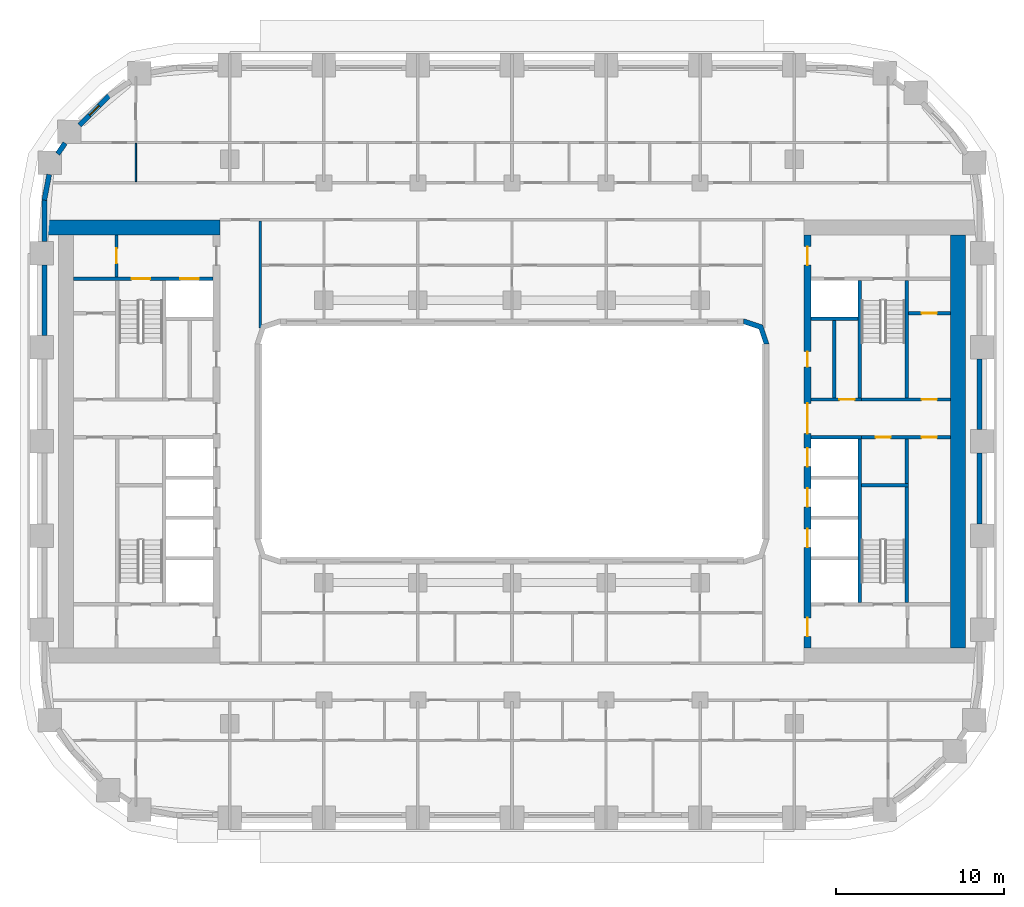
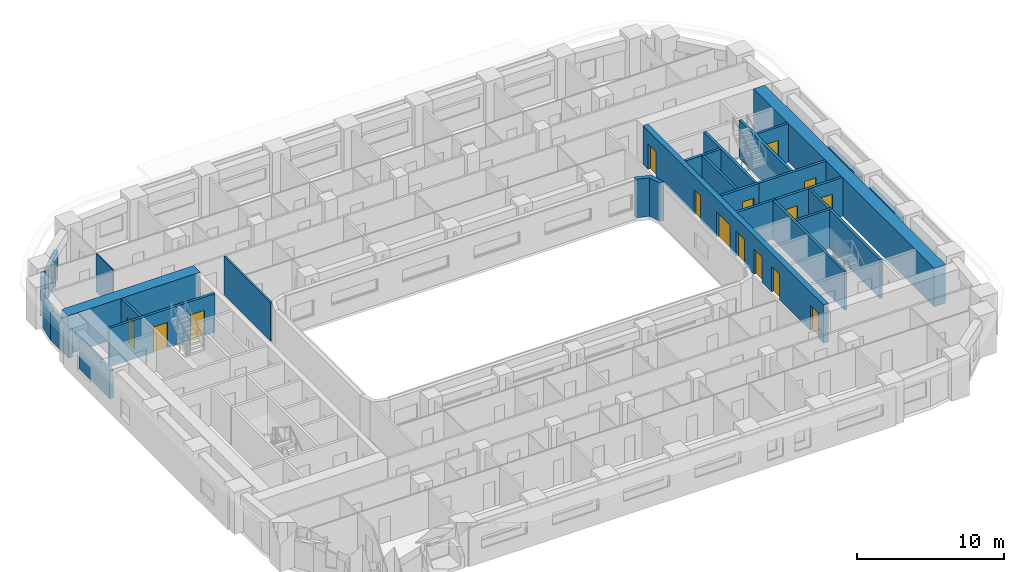
# One storey, part 7 of 22: 28 walls, 15 doors, 1 window, 16 openings.
"""IFC4 building model written with IfcOpenShell, lengths in metres."""

from ifc_helpers import new_model, si_unit, direction, frame, frame_2d, origin, place, context, subcontext, project, spatial, polyline, rectangle, outline, extrude, material, layer, layer_set, type_object, element, fill, save


model = new_model("IFC4")

# Units and contexts
model_context = context("Model", 3, precision=1e-05, world=origin(), true_north=direction((0.0, 1.0)))
body_context = subcontext(model_context, "Body", "Model", "MODEL_VIEW")
ifc_project = project(units=[si_unit("LENGTHUNIT", "METRE"), si_unit("AREAUNIT", "SQUARE_METRE"), si_unit("VOLUMEUNIT", "CUBIC_METRE"), si_unit("PLANEANGLEUNIT", "RADIAN"), si_unit("MASSUNIT", "GRAM", prefix="KILO")], contexts=[model_context])

# Site, building, storey
site_placement = place(None, origin())
site = spatial("IfcSite", under=ifc_project, at=site_placement, CompositionType="ELEMENT")
building_placement = place(site_placement, origin())
building = spatial("IfcBuilding", under=site, at=building_placement, Name="Kiln Ring Residences", CompositionType="ELEMENT")
storey_placement = place(building_placement, frame((0.0, 0.0, 65.5)))
storey = spatial("IfcBuildingStorey", under=building, at=storey_placement, Name="L16", CompositionType="ELEMENT", Elevation=65.5)

# Wall, opening, door
ifc_material_1 = material(Name="Gypsum board on steel studs", Category="steel")
ifc_layer_1 = layer(ifc_material_1, 0.199951171875)
ifc_layer_set_1 = layer_set([ifc_layer_1], Name="CORE-PARTITION-200")
wall_type_1 = type_object("IfcWallType", Name="CORE-PARTITION-200", PredefinedType="PARTITIONING", material=ifc_layer_set_1)
wall_1_placement = place(storey_placement, frame((-23.550048828125, 9.800048828125, 0.0), z_axis=(0.0, 0.0, 1.0), x_axis=(0.0, 1.0, 0.0)))
wall_1 = element("IfcWall", 1, at=wall_1_placement, inside=storey, type_object=wall_type_1, Name="Core partition west L16 4", PredefinedType="PARTITIONING", context=body_context, shape_type="SweptSolid", body=[
    extrude(rectangle(XDim=2.5, YDim=0.199951171875, at=frame_2d((1.25, 0.0))), origin(), (0.0, 0.0, 1.0), 3.199951171875),
])
opening_1_placement = place(wall_1_placement, frame((0.800048828125, 0.0, 0.0)))
opening_1 = element("IfcOpeningElement", 2, at=opening_1_placement, cuts=wall_1, Name="Opening L16-CW10", PredefinedType="OPENING", context=body_context, shape_type="SweptSolid", body=[
    extrude(rectangle(XDim=0.89990234375, YDim=2.10009765625, at=frame_2d((0.449951171875, 1.050048828125))), frame((0.0, 0.10986328125, 0.0), z_axis=(0.0, -1.0, 0.0), x_axis=(1.0, 0.0, 0.0)), (0.0, 0.0, 1.0), 0.219970703125),
])
ifc_material_2 = material(Name="Steel door leaf", Category="steel")
door_type_1 = type_object("IfcDoorType", Name="CORE-DOOR-ROOM", OperationType="SINGLE_SWING_LEFT", PredefinedType="DOOR", material=ifc_material_2)
door_1_placement = place(opening_1_placement, origin())
door_1 = element("IfcDoor", 3, at=door_1_placement, inside=storey, type_object=door_type_1, Name="Fire riser room L16-CW10", OperationType="SINGLE_SWING_RIGHT", OverallHeight=2.10009765625, OverallWidth=0.89990234375, PredefinedType="DOOR", context=body_context, shape_type="SweptSolid", body=[
    extrude(rectangle(XDim=0.89990234375, YDim=2.10009765625, at=frame_2d((0.449951171875, 1.050048828125))), frame((0.0, 0.02490234375, 0.0), z_axis=(0.0, -1.0, 0.0), x_axis=(1.0, 0.0, 0.0)), (0.0, 0.0, 1.0), 0.050048828125),
])
fill(opening_1, door_1)

# Wall
wall_2_placement = place(storey_placement, frame((23.5, -2.5, 0.0), z_axis=(0.0, 0.0, 1.0), x_axis=(0.0, 1.0, 0.0)))
element("IfcWall", 4, at=wall_2_placement, inside=storey, type_object=wall_type_1, Name="Core partition east L16 1", PredefinedType="PARTITIONING", context=body_context, shape_type="SweptSolid", body=[
    extrude(rectangle(XDim=2.64990234375, YDim=0.199951171875, at=frame_2d((1.324951171875, 0.0))), origin(), (0.0, 0.0, 1.0), 3.199951171875),
])

# Wall, openings, doors
wall_3_placement = place(storey_placement, frame((20.800048828125, 0.25, 0.0), z_axis=(0.0, 0.0, 1.0), x_axis=(1.0, 0.0, 0.0)))
wall_3 = element("IfcWall", 5, at=wall_3_placement, inside=storey, type_object=wall_type_1, Name="Core partition east L16 2", PredefinedType="PARTITIONING", context=body_context, shape_type="SweptSolid", body=[
    extrude(rectangle(XDim=5.300048828125, YDim=0.199951171875, at=frame_2d((2.64990234375, 0.0))), origin(), (0.0, 0.0, 1.0), 3.199951171875),
])
opening_2_placement = place(wall_3_placement, frame((0.85009765625, 0.0, 0.0)))
opening_2 = element("IfcOpeningElement", 6, at=opening_2_placement, cuts=wall_3, Name="Opening L16-CE15", PredefinedType="OPENING", context=body_context, shape_type="SweptSolid", body=[
    extrude(rectangle(XDim=0.89990234375, YDim=2.10009765625, at=frame_2d((0.449951171875, 1.050048828125))), frame((0.0, 0.10986328125, 0.0), z_axis=(0.0, -1.0, 0.0), x_axis=(1.0, 0.0, 0.0)), (0.0, 0.0, 1.0), 0.219970703125),
])
opening_3_placement = place(wall_3_placement, frame((3.60009765625, 0.0, 0.0)))
opening_3 = element("IfcOpeningElement", 7, at=opening_3_placement, cuts=wall_3, Name="Opening L16-CE16", PredefinedType="OPENING", context=body_context, shape_type="SweptSolid", body=[
    extrude(rectangle(XDim=0.89990234375, YDim=2.10009765625, at=frame_2d((0.449951171875, 1.050048828125))), frame((0.0, 0.10986328125, 0.0), z_axis=(0.0, -1.0, 0.0), x_axis=(1.0, 0.0, 0.0)), (0.0, 0.0, 1.0), 0.219970703125),
])
door_2_placement = place(opening_2_placement, origin())
door_2 = element("IfcDoor", 8, at=door_2_placement, inside=storey, type_object=door_type_1, Name="Refuse and recycling room L16-CE15", OperationType="SINGLE_SWING_RIGHT", OverallHeight=2.10009765625, OverallWidth=0.89990234375, PredefinedType="DOOR", context=body_context, shape_type="SweptSolid", body=[
    extrude(rectangle(XDim=0.89990234375, YDim=2.10009765625, at=frame_2d((0.449951171875, 1.050048828125))), frame((0.0, 0.02490234375, 0.0), z_axis=(0.0, -1.0, 0.0), x_axis=(1.0, 0.0, 0.0)), (0.0, 0.0, 1.0), 0.050048828125),
])
fill(opening_2, door_2)
door_3_placement = place(opening_3_placement, origin())
door_3 = element("IfcDoor", 9, at=door_3_placement, inside=storey, type_object=door_type_1, Name="Water tank room L16-CE16", OperationType="SINGLE_SWING_LEFT", OverallHeight=2.10009765625, OverallWidth=0.89990234375, PredefinedType="DOOR", context=body_context, shape_type="SweptSolid", body=[
    extrude(rectangle(XDim=0.89990234375, YDim=2.10009765625, at=frame_2d((0.449951171875, 1.050048828125))), frame((0.0, 0.02490234375, 0.0), z_axis=(0.0, -1.0, 0.0), x_axis=(1.0, 0.0, 0.0)), (0.0, 0.0, 1.0), 0.050048828125),
])
fill(opening_3, door_3)

# Wall
wall_4_placement = place(storey_placement, frame((19.199951171875, 2.60009765625, 0.0), z_axis=(0.0, 0.0, 1.0), x_axis=(0.0, 1.0, 0.0)))
element("IfcWall", 10, at=wall_4_placement, inside=storey, type_object=wall_type_1, Name="Core partition east L16 3", PredefinedType="PARTITIONING", context=body_context, shape_type="SweptSolid", body=[
    extrude(rectangle(XDim=4.599853515625, YDim=0.199951171875, at=frame_2d((2.2998046875, 0.0))), origin(), (0.0, 0.0, 1.0), 3.199951171875),
])

# Wall, opening, door
wall_5_placement = place(storey_placement, frame((23.60009765625, 7.639892578125, 0.0), z_axis=(0.0, 0.0, 1.0), x_axis=(1.0, 0.0, 0.0)))
wall_5 = element("IfcWall", 11, at=wall_5_placement, inside=storey, type_object=wall_type_1, Name="Core partition east L16 6", PredefinedType="PARTITIONING", context=body_context, shape_type="SweptSolid", body=[
    extrude(rectangle(XDim=2.5, YDim=0.199951171875, at=frame_2d((1.25, 0.0))), origin(), (0.0, 0.0, 1.0), 3.199951171875),
])
opening_4_placement = place(wall_5_placement, frame((0.800048828125, 0.0, 0.0)))
opening_4 = element("IfcOpeningElement", 12, at=opening_4_placement, cuts=wall_5, Name="Opening L16-CE17", PredefinedType="OPENING", context=body_context, shape_type="SweptSolid", body=[
    extrude(rectangle(XDim=0.89990234375, YDim=2.10009765625, at=frame_2d((0.449951171875, 1.050048828125))), frame((0.0, 0.10986328125, 0.0), z_axis=(0.0, -1.0, 0.0), x_axis=(1.0, 0.0, 0.0)), (0.0, 0.0, 1.0), 0.219970703125),
])
door_4_placement = place(opening_4_placement, origin())
door_4 = element("IfcDoor", 13, at=door_4_placement, inside=storey, type_object=door_type_1, Name="UPS room L16-CE17", OperationType="SINGLE_SWING_LEFT", OverallHeight=2.10009765625, OverallWidth=0.89990234375, PredefinedType="DOOR", context=body_context, shape_type="SweptSolid", body=[
    extrude(rectangle(XDim=0.89990234375, YDim=2.10009765625, at=frame_2d((0.449951171875, 1.050048828125))), frame((0.0, 0.02490234375, 0.0), z_axis=(0.0, -1.0, 0.0), x_axis=(1.0, 0.0, 0.0)), (0.0, 0.0, 1.0), 0.050048828125),
])
fill(opening_4, door_4)

# Wall
ifc_material_3 = material(Name="Gypsum shaft wall system")
ifc_layer_2 = layer(ifc_material_3, 0.199951171875)
ifc_layer_set_2 = layer_set([ifc_layer_2], Name="CORE-SHAFT-WALL-200")
wall_type_2 = type_object("IfcWallType", Name="CORE-SHAFT-WALL-200", PredefinedType="PARTITIONING", material=ifc_layer_set_2)
wall_6_placement = place(storey_placement, frame((17.800048828125, 0.25, 0.0), z_axis=(0.0, 0.0, 1.0), x_axis=(1.0, 0.0, 0.0)))
element("IfcWall", 14, at=wall_6_placement, inside=storey, type_object=wall_type_2, Name="Core partition east L16 10", PredefinedType="PARTITIONING", context=body_context, shape_type="SweptSolid", body=[
    extrude(rectangle(XDim=3.0, YDim=0.199951171875, at=frame_2d((1.5, 0.0))), origin(), (0.0, 0.0, 1.0), 3.199951171875),
])

# Wall, opening, door
wall_7_placement = place(storey_placement, frame((17.800048828125, 2.5, 0.0), z_axis=(0.0, 0.0, 1.0), x_axis=(1.0, 0.0, 0.0)))
wall_7 = element("IfcWall", 15, at=wall_7_placement, inside=storey, type_object=wall_type_2, Name="Core partition east L16 11", PredefinedType="PARTITIONING", context=body_context, shape_type="SweptSolid", body=[
    extrude(rectangle(XDim=3.0, YDim=0.199951171875, at=frame_2d((1.5, 0.0))), origin(), (0.0, 0.0, 1.0), 3.199951171875),
])
opening_5_placement = place(wall_7_placement, frame((1.699951171875, 0.0, 0.0)))
opening_5 = element("IfcOpeningElement", 16, at=opening_5_placement, cuts=wall_7, Name="Opening L16-CE06", PredefinedType="OPENING", context=body_context, shape_type="SweptSolid", body=[
    extrude(rectangle(XDim=0.89990234375, YDim=2.10009765625, at=frame_2d((0.449951171875, 1.050048828125))), frame((0.0, 0.10986328125, 0.0), z_axis=(0.0, -1.0, 0.0), x_axis=(1.0, 0.0, 0.0)), (0.0, 0.0, 1.0), 0.219970703125),
])
door_5_placement = place(opening_5_placement, origin())
door_5 = element("IfcDoor", 17, at=door_5_placement, inside=storey, type_object=door_type_1, Name="Service store L16-CE06", OperationType="SINGLE_SWING_RIGHT", OverallHeight=2.10009765625, OverallWidth=0.89990234375, PredefinedType="DOOR", context=body_context, shape_type="SweptSolid", body=[
    extrude(rectangle(XDim=0.89990234375, YDim=2.10009765625, at=frame_2d((0.449951171875, 1.050048828125))), frame((0.0, 0.02490234375, 0.0), z_axis=(0.0, -1.0, 0.0), x_axis=(1.0, 0.0, 0.0)), (0.0, 0.0, 1.0), 0.050048828125),
])
fill(opening_5, door_5)

# Wall
wall_8_placement = place(storey_placement, frame((17.800048828125, 7.300048828125, 0.0), z_axis=(0.0, 0.0, 1.0), x_axis=(1.0, 0.0, 0.0)))
element("IfcWall", 18, at=wall_8_placement, inside=storey, type_object=wall_type_2, Name="Core partition east L16 12", PredefinedType="PARTITIONING", context=body_context, shape_type="SweptSolid", body=[
    extrude(rectangle(XDim=2.800048828125, YDim=0.199951171875, at=frame_2d((1.39990234375, 0.0))), origin(), (0.0, 0.0, 1.0), 3.199951171875),
])

# Wall, openings, doors
ifc_material_4 = material(Name="Concrete C40/50", Category="concrete")
ifc_layer_3 = layer(ifc_material_4, 0.199951171875)
ifc_layer_set_3 = layer_set([ifc_layer_3], Name="CORE-WALL-RC200")
wall_type_3 = type_object("IfcWallType", Name="CORE-WALL-RC200", PredefinedType="SHEAR", material=ifc_layer_set_3)
wall_9_placement = place(storey_placement, frame((-17.800048828125, 9.699951171875, 0.0), z_axis=(0.0, 0.0, 1.0), x_axis=(-1.0, 0.0, 0.0)))
wall_9 = element("IfcWall", 19, at=wall_9_placement, inside=storey, type_object=wall_type_3, Name="Core wall west L16 9", PredefinedType="SHEAR", context=body_context, shape_type="SweptSolid", body=[
    extrude(rectangle(XDim=8.300048828125, YDim=0.199951171875, at=frame_2d((4.14990234375, 0.0))), origin(), (0.0, 0.0, 1.0), 3.199951171875),
])
opening_6_placement = place(wall_9_placement, frame((0.85009765625, 0.0, 0.0)))
opening_6 = element("IfcOpeningElement", 20, at=opening_6_placement, cuts=wall_9, Name="Opening L16-CW07", PredefinedType="OPENING", context=body_context, shape_type="SweptSolid", body=[
    extrude(rectangle(XDim=1.10009765625, YDim=2.10009765625, at=frame_2d((0.550048828125, 1.050048828125))), frame((0.0, 0.10986328125, 0.0), z_axis=(0.0, -1.0, 0.0), x_axis=(1.0, 0.0, 0.0)), (0.0, 0.0, 1.0), 0.219970703125),
])
opening_7_placement = place(wall_9_placement, frame((3.75, 0.0, 0.0)))
opening_7 = element("IfcOpeningElement", 21, at=opening_7_placement, cuts=wall_9, Name="Opening L16-CW12", PredefinedType="OPENING", context=body_context, shape_type="SweptSolid", body=[
    extrude(rectangle(XDim=1.10009765625, YDim=2.10009765625, at=frame_2d((0.550048828125, 1.050048828125))), frame((0.0, 0.10986328125, 0.0), z_axis=(0.0, -1.0, 0.0), x_axis=(1.0, 0.0, 0.0)), (0.0, 0.0, 1.0), 0.219970703125),
])
ifc_material_5 = material(Name="Steel door leaf", Category="steel")
door_type_2 = type_object("IfcDoorType", Name="CORE-DOOR-LD", OperationType="DOUBLE_DOOR_SLIDING", PredefinedType="DOOR", material=ifc_material_5)
door_6_placement = place(opening_6_placement, origin())
door_6 = element("IfcDoor", 22, at=door_6_placement, inside=storey, type_object=door_type_2, Name="LD W-FF L16-CW07", OperationType="DOUBLE_DOOR_SLIDING", OverallHeight=2.10009765625, OverallWidth=1.10009765625, PredefinedType="DOOR", context=body_context, shape_type="SweptSolid", body=[
    extrude(rectangle(XDim=1.10009765625, YDim=2.10009765625, at=frame_2d((0.550048828125, 1.050048828125))), frame((0.0, 0.02490234375, 0.0), z_axis=(0.0, -1.0, 0.0), x_axis=(1.0, 0.0, 0.0)), (0.0, 0.0, 1.0), 0.050048828125),
])
fill(opening_6, door_6)
ifc_material_6 = material(Name="Steel door leaf", Category="steel")
door_type_3 = type_object("IfcDoorType", Name="CORE-DOOR-STAIR", OperationType="SINGLE_SWING_LEFT", PredefinedType="DOOR", material=ifc_material_6)
door_7_placement = place(opening_7_placement, origin())
door_7 = element("IfcDoor", 23, at=door_7_placement, inside=storey, type_object=door_type_3, Name="Stair W-STN L16-CW12", OperationType="SINGLE_SWING_RIGHT", OverallHeight=2.10009765625, OverallWidth=1.10009765625, PredefinedType="DOOR", context=body_context, shape_type="SweptSolid", body=[
    extrude(rectangle(XDim=1.10009765625, YDim=2.10009765625, at=frame_2d((0.550048828125, 1.050048828125))), frame((0.0, 0.02490234375, 0.0), z_axis=(0.0, -1.0, 0.0), x_axis=(1.0, 0.0, 0.0)), (0.0, 0.0, 1.0), 0.050048828125),
])
fill(opening_7, door_7)

# Walls
wall_10_placement = place(storey_placement, frame((20.699951171875, 2.60009765625, 0.0), z_axis=(0.0, 0.0, 1.0), x_axis=(0.0, 1.0, 0.0)))
element("IfcWall", 24, at=wall_10_placement, inside=storey, type_object=wall_type_3, Name="Core wall east L16 1", PredefinedType="SHEAR", context=body_context, shape_type="SweptSolid", body=[
    extrude(rectangle(XDim=7.0, YDim=0.199951171875, at=frame_2d((3.5, 0.0))), origin(), (0.0, 0.0, 1.0), 3.199951171875),
])
wall_11_placement = place(storey_placement, frame((20.699951171875, -9.60009765625, 0.0), z_axis=(0.0, 0.0, 1.0), x_axis=(0.0, 1.0, 0.0)))
element("IfcWall", 25, at=wall_11_placement, inside=storey, type_object=wall_type_3, Name="Core wall east L16 2", PredefinedType="SHEAR", context=body_context, shape_type="SweptSolid", body=[
    extrude(rectangle(XDim=9.75, YDim=0.199951171875, at=frame_2d((4.875, 0.0))), origin(), (0.0, 0.0, 1.0), 3.199951171875),
])

# Wall, opening, door
wall_12_placement = place(storey_placement, frame((20.800048828125, 2.5, 0.0), z_axis=(0.0, 0.0, 1.0), x_axis=(1.0, 0.0, 0.0)))
wall_12 = element("IfcWall", 26, at=wall_12_placement, inside=storey, type_object=wall_type_3, Name="Core wall east L16 3", PredefinedType="SHEAR", context=body_context, shape_type="SweptSolid", body=[
    extrude(rectangle(XDim=5.300048828125, YDim=0.199951171875, at=frame_2d((2.64990234375, 0.0))), origin(), (0.0, 0.0, 1.0), 3.199951171875),
])
opening_8_placement = place(wall_12_placement, frame((3.60009765625, 0.0, 0.0)))
opening_8 = element("IfcOpeningElement", 27, at=opening_8_placement, cuts=wall_12, Name="Opening L16-CE18", PredefinedType="OPENING", context=body_context, shape_type="SweptSolid", body=[
    extrude(rectangle(XDim=0.89990234375, YDim=2.10009765625, at=frame_2d((0.449951171875, 1.050048828125))), frame((0.0, 0.10986328125, 0.0), z_axis=(0.0, -1.0, 0.0), x_axis=(1.0, 0.0, 0.0)), (0.0, 0.0, 1.0), 0.219970703125),
])
door_8_placement = place(opening_8_placement, origin())
door_8 = element("IfcDoor", 28, at=door_8_placement, inside=storey, type_object=door_type_1, Name="Electrical plant room L16-CE18", OperationType="SINGLE_SWING_RIGHT", OverallHeight=2.10009765625, OverallWidth=0.89990234375, PredefinedType="DOOR", context=body_context, shape_type="SweptSolid", body=[
    extrude(rectangle(XDim=0.89990234375, YDim=2.10009765625, at=frame_2d((0.449951171875, 1.050048828125))), frame((0.0, 0.02490234375, 0.0), z_axis=(0.0, -1.0, 0.0), x_axis=(1.0, 0.0, 0.0)), (0.0, 0.0, 1.0), 0.050048828125),
])
fill(opening_8, door_8)

# Walls
wall_13_placement = place(storey_placement, frame((23.5, 2.60009765625, 0.0), z_axis=(0.0, 0.0, 1.0), x_axis=(0.0, 1.0, 0.0)))
element("IfcWall", 29, at=wall_13_placement, inside=storey, type_object=wall_type_3, Name="Core wall east L16 10", PredefinedType="SHEAR", context=body_context, shape_type="SweptSolid", body=[
    extrude(rectangle(XDim=7.0, YDim=0.199951171875, at=frame_2d((3.5, 0.0))), origin(), (0.0, 0.0, 1.0), 3.199951171875),
])
wall_14_placement = place(storey_placement, frame((23.5, -9.60009765625, 0.0), z_axis=(0.0, 0.0, 1.0), x_axis=(0.0, 1.0, 0.0)))
element("IfcWall", 30, at=wall_14_placement, inside=storey, type_object=wall_type_3, Name="Core wall east L16 11", PredefinedType="SHEAR", context=body_context, shape_type="SweptSolid", body=[
    extrude(rectangle(XDim=6.900146484375, YDim=0.199951171875, at=frame_2d((3.4501953125, 0.0))), origin(), (0.0, 0.0, 1.0), 3.199951171875),
])
wall_15_placement = place(storey_placement, frame((20.800048828125, -2.60009765625, 0.0), z_axis=(0.0, 0.0, 1.0), x_axis=(1.0, 0.0, 0.0)))
element("IfcWall", 31, at=wall_15_placement, inside=storey, type_object=wall_type_3, Name="Core wall east L16 12", PredefinedType="SHEAR", context=body_context, shape_type="SweptSolid", body=[
    extrude(rectangle(XDim=2.800048828125, YDim=0.199951171875, at=frame_2d((1.39990234375, 0.0))), origin(), (0.0, 0.0, 1.0), 3.199951171875),
])

# Wall, openings, doors
ifc_material_7 = material(Name="Concrete C60/75", Category="concrete")
ifc_layer_4 = layer(ifc_material_7, 0.39990234375)
ifc_layer_set_4 = layer_set([ifc_layer_4], Name="CORE-WALL-RC400")
wall_type_4 = type_object("IfcWallType", Name="CORE-WALL-RC400", PredefinedType="SHEAR", material=ifc_layer_set_4)
wall_16_placement = place(storey_placement, frame((17.60009765625, -12.300048828125, 0.0), z_axis=(0.0, 0.0, 1.0), x_axis=(0.0, 1.0, 0.0)))
wall_16 = element("IfcWall", 32, at=wall_16_placement, inside=storey, type_object=wall_type_4, Name="Core wall east L16 6", PredefinedType="SHEAR", context=body_context, shape_type="SweptSolid", body=[
    extrude(rectangle(XDim=24.60009765625, YDim=0.39990234375, at=frame_2d((12.300048828125, 0.0))), origin(), (0.0, 0.0, 1.0), 3.199951171875),
])
opening_9_placement = place(wall_16_placement, frame((6.0, 0.0, 0.0)))
opening_9 = element("IfcOpeningElement", 33, at=opening_9_placement, cuts=wall_16, Name="Opening L16-CE02", PredefinedType="OPENING", context=body_context, shape_type="SweptSolid", body=[
    extrude(rectangle(XDim=1.10009765625, YDim=2.10009765625, at=frame_2d((0.550048828125, 1.050048828125))), frame((0.0, 0.2099609375, 0.0), z_axis=(0.0, -1.0, 0.0), x_axis=(1.0, 0.0, 0.0)), (0.0, 0.0, 1.0), 0.419921875),
])
opening_10_placement = place(wall_16_placement, frame((8.39990234375, 0.0, 0.0)))
opening_10 = element("IfcOpeningElement", 34, at=opening_10_placement, cuts=wall_16, Name="Opening L16-CE03", PredefinedType="OPENING", context=body_context, shape_type="SweptSolid", body=[
    extrude(rectangle(XDim=1.10009765625, YDim=2.10009765625, at=frame_2d((0.550048828125, 1.050048828125))), frame((0.0, 0.2099609375, 0.0), z_axis=(0.0, -1.0, 0.0), x_axis=(1.0, 0.0, 0.0)), (0.0, 0.0, 1.0), 0.419921875),
])
opening_11_placement = place(wall_16_placement, frame((10.800048828125, 0.0, 0.0)))
opening_11 = element("IfcOpeningElement", 35, at=opening_11_placement, cuts=wall_16, Name="Opening L16-CE04", PredefinedType="OPENING", context=body_context, shape_type="SweptSolid", body=[
    extrude(rectangle(XDim=1.10009765625, YDim=2.10009765625, at=frame_2d((0.550048828125, 1.050048828125))), frame((0.0, 0.2099609375, 0.0), z_axis=(0.0, -1.0, 0.0), x_axis=(1.0, 0.0, 0.0)), (0.0, 0.0, 1.0), 0.419921875),
])
opening_12_placement = place(wall_16_placement, frame((16.75, 0.0, 0.0)))
opening_12 = element("IfcOpeningElement", 36, at=opening_12_placement, cuts=wall_16, Name="Opening L16-CE05", PredefinedType="OPENING", context=body_context, shape_type="SweptSolid", body=[
    extrude(rectangle(XDim=0.89990234375, YDim=2.10009765625, at=frame_2d((0.449951171875, 1.050048828125))), frame((0.0, 0.2099609375, 0.0), z_axis=(0.0, -1.0, 0.0), x_axis=(1.0, 0.0, 0.0)), (0.0, 0.0, 1.0), 0.419921875),
])
opening_13_placement = place(wall_16_placement, frame((22.800048828125, 0.0, 0.0)))
opening_13 = element("IfcOpeningElement", 37, at=opening_13_placement, cuts=wall_16, Name="Opening L16-CE08", PredefinedType="OPENING", context=body_context, shape_type="SweptSolid", body=[
    extrude(rectangle(XDim=1.10009765625, YDim=2.10009765625, at=frame_2d((0.550048828125, 1.050048828125))), frame((0.0, 0.2099609375, 0.0), z_axis=(0.0, -1.0, 0.0), x_axis=(1.0, 0.0, 0.0)), (0.0, 0.0, 1.0), 0.419921875),
])
opening_14_placement = place(wall_16_placement, frame((0.699951171875, 0.0, 0.0)))
opening_14 = element("IfcOpeningElement", 38, at=opening_14_placement, cuts=wall_16, Name="Opening L16-CE09", PredefinedType="OPENING", context=body_context, shape_type="SweptSolid", body=[
    extrude(rectangle(XDim=1.10009765625, YDim=2.10009765625, at=frame_2d((0.550048828125, 1.050048828125))), frame((0.0, 0.2099609375, 0.0), z_axis=(0.0, -1.0, 0.0), x_axis=(1.0, 0.0, 0.0)), (0.0, 0.0, 1.0), 0.419921875),
])
opening_15_placement = place(wall_16_placement, frame((12.77490234375, 0.0, 0.0)))
opening_15 = element("IfcOpeningElement", 39, at=opening_15_placement, cuts=wall_16, Name="Opening L16-CE14", PredefinedType="OPENING", context=body_context, shape_type="SweptSolid", body=[
    extrude(rectangle(XDim=1.800048828125, YDim=2.10009765625, at=frame_2d((0.89990234375, 1.050048828125))), frame((0.0, 0.2099609375, 0.0), z_axis=(0.0, -1.0, 0.0), x_axis=(1.0, 0.0, 0.0)), (0.0, 0.0, 1.0), 0.419921875),
])
door_9_placement = place(opening_9_placement, origin())
door_9 = element("IfcDoor", 40, at=door_9_placement, inside=storey, type_object=door_type_2, Name="LD E-L1 L16-CE02", OperationType="DOUBLE_DOOR_SLIDING", OverallHeight=2.10009765625, OverallWidth=1.10009765625, PredefinedType="DOOR", context=body_context, shape_type="SweptSolid", body=[
    extrude(rectangle(XDim=1.10009765625, YDim=2.10009765625, at=frame_2d((0.550048828125, 1.050048828125))), frame((0.0, 0.02490234375, 0.0), z_axis=(0.0, -1.0, 0.0), x_axis=(1.0, 0.0, 0.0)), (0.0, 0.0, 1.0), 0.050048828125),
])
fill(opening_9, door_9)
door_10_placement = place(opening_10_placement, origin())
door_10 = element("IfcDoor", 41, at=door_10_placement, inside=storey, type_object=door_type_2, Name="LD E-L2 L16-CE03", OperationType="DOUBLE_DOOR_SLIDING", OverallHeight=2.10009765625, OverallWidth=1.10009765625, PredefinedType="DOOR", context=body_context, shape_type="SweptSolid", body=[
    extrude(rectangle(XDim=1.10009765625, YDim=2.10009765625, at=frame_2d((0.550048828125, 1.050048828125))), frame((0.0, 0.02490234375, 0.0), z_axis=(0.0, -1.0, 0.0), x_axis=(1.0, 0.0, 0.0)), (0.0, 0.0, 1.0), 0.050048828125),
])
fill(opening_10, door_10)
door_11_placement = place(opening_11_placement, origin())
door_11 = element("IfcDoor", 42, at=door_11_placement, inside=storey, type_object=door_type_2, Name="LD E-L3 L16-CE04", OperationType="DOUBLE_DOOR_SLIDING", OverallHeight=2.10009765625, OverallWidth=1.10009765625, PredefinedType="DOOR", context=body_context, shape_type="SweptSolid", body=[
    extrude(rectangle(XDim=1.10009765625, YDim=2.10009765625, at=frame_2d((0.550048828125, 1.050048828125))), frame((0.0, 0.02490234375, 0.0), z_axis=(0.0, -1.0, 0.0), x_axis=(1.0, 0.0, 0.0)), (0.0, 0.0, 1.0), 0.050048828125),
])
fill(opening_11, door_11)
ifc_material_8 = material(Name="Steel door leaf", Category="steel")
door_type_4 = type_object("IfcDoorType", Name="CORE-DOOR-LOBBY", OperationType="SINGLE_SWING_LEFT", PredefinedType="DOOR", material=ifc_material_8)
door_12_placement = place(opening_13_placement, origin())
door_12 = element("IfcDoor", 43, at=door_12_placement, inside=storey, type_object=door_type_4, Name="FFL L16-CE08", OperationType="SINGLE_SWING_RIGHT", OverallHeight=2.10009765625, OverallWidth=1.10009765625, PredefinedType="DOOR", context=body_context, shape_type="SweptSolid", body=[
    extrude(rectangle(XDim=1.10009765625, YDim=2.10009765625, at=frame_2d((0.550048828125, 1.050048828125))), frame((0.0, 0.02490234375, 0.0), z_axis=(0.0, -1.0, 0.0), x_axis=(1.0, 0.0, 0.0)), (0.0, 0.0, 1.0), 0.050048828125),
])
fill(opening_13, door_12)
door_13_placement = place(opening_14_placement, origin())
door_13 = element("IfcDoor", 44, at=door_13_placement, inside=storey, type_object=door_type_4, Name="SVL L16-CE09", OperationType="SINGLE_SWING_LEFT", OverallHeight=2.10009765625, OverallWidth=1.10009765625, PredefinedType="DOOR", context=body_context, shape_type="SweptSolid", body=[
    extrude(rectangle(XDim=1.10009765625, YDim=2.10009765625, at=frame_2d((0.550048828125, 1.050048828125))), frame((0.0, 0.02490234375, 0.0), z_axis=(0.0, -1.0, 0.0), x_axis=(1.0, 0.0, 0.0)), (0.0, 0.0, 1.0), 0.050048828125),
])
fill(opening_14, door_13)
ifc_material_9 = material(Name="Steel door leaf", Category="steel")
door_type_5 = type_object("IfcDoorType", Name="CORE-DOOR-PASS", OperationType="DOUBLE_DOOR_SINGLE_SWING", PredefinedType="DOOR", material=ifc_material_9)
door_14_placement = place(opening_15_placement, origin())
door_14 = element("IfcDoor", 45, at=door_14_placement, inside=storey, type_object=door_type_5, Name="Core passage L16-CE14", OperationType="DOUBLE_DOOR_SINGLE_SWING", OverallHeight=2.10009765625, OverallWidth=1.800048828125, PredefinedType="DOOR", context=body_context, shape_type="SweptSolid", body=[
    extrude(rectangle(XDim=1.800048828125, YDim=2.10009765625, at=frame_2d((0.89990234375, 1.050048828125))), frame((0.0, 0.02490234375, 0.0), z_axis=(0.0, -1.0, 0.0), x_axis=(1.0, 0.0, 0.0)), (0.0, 0.0, 1.0), 0.050048828125),
])
fill(opening_15, door_14)
door_15_placement = place(opening_12_placement, origin())
door_15 = element("IfcDoor", 46, at=door_15_placement, inside=storey, type_object=door_type_1, Name="Linen store L16-CE05", OperationType="SINGLE_SWING_RIGHT", OverallHeight=2.10009765625, OverallWidth=0.89990234375, PredefinedType="DOOR", context=body_context, shape_type="SweptSolid", body=[
    extrude(rectangle(XDim=0.89990234375, YDim=2.10009765625, at=frame_2d((0.449951171875, 1.050048828125))), frame((0.0, 0.02490234375, 0.0), z_axis=(0.0, -1.0, 0.0), x_axis=(1.0, 0.0, 0.0)), (0.0, 0.0, 1.0), 0.050048828125),
])
fill(opening_12, door_15)

# Walls
ifc_material_10 = material(Name="Concrete C60/75", Category="concrete")
ifc_layer_5 = layer(ifc_material_10, 0.89990234375)
ifc_layer_set_5 = layer_set([ifc_layer_5], Name="CORE-WALL-RC900")
wall_type_5 = type_object("IfcWallType", Name="CORE-WALL-RC900", PredefinedType="SHEAR", material=ifc_layer_set_5)
wall_17_placement = place(storey_placement, frame((-17.39990234375, 12.75, 0.0), z_axis=(0.0, 0.0, 1.0), x_axis=(-1.0, 0.0, 0.0)))
element("IfcWall", 47, at=wall_17_placement, inside=storey, type_object=wall_type_5, Name="Core wall west L16 4", PredefinedType="SHEAR", context=body_context, shape_type="SweptSolid", body=[
    extrude(rectangle(XDim=10.400146484375, YDim=0.89990234375, at=frame_2d((5.2001953125, 0.0))), origin(), (0.0, 0.0, 1.0), 3.199951171875),
])
wall_18_placement = place(storey_placement, frame((26.550048828125, -12.300048828125, 0.0), z_axis=(0.0, 0.0, 1.0), x_axis=(0.0, 1.0, 0.0)))
element("IfcWall", 48, at=wall_18_placement, inside=storey, type_object=wall_type_5, Name="Core wall east L16 7", PredefinedType="SHEAR", context=body_context, shape_type="SweptSolid", body=[
    extrude(rectangle(XDim=24.60009765625, YDim=0.89990234375, at=frame_2d((12.300048828125, 0.0))), origin(), (0.0, 0.0, 1.0), 3.199951171875),
])
ifc_material_11 = material(Name="Brick masonry, dark clay brick", Category="masonry")
ifc_layer_6 = layer(ifc_material_11, 0.300048828125)
ifc_layer_set_6 = layer_set([ifc_layer_6], Name="EW-300 BRICK WALL")
wall_type_6 = type_object("IfcWallType", Name="EW-300 BRICK WALL", PredefinedType="SOLIDWALL", material=ifc_layer_set_6)
for number, where, z_axis, x_axis, name in (
    (49, (27.85009765625, -4.89990234375, 0.0), (0.0, 0.0, 1.0), (0.0, 1.0, 0.0), "Facade wall L16 19"),
    (50, (27.85009765625, 0.699951171875, 0.0), (0.0, 0.0, 1.0), (0.0, 1.0, 0.0), "Facade wall L16 20"),
):
    element("IfcWall", number, at=place(storey_placement, frame(where, z_axis=z_axis, x_axis=x_axis)), inside=storey, type_object=wall_type_6, Name=name, PredefinedType="SOLIDWALL", context=body_context, shape_type="SweptSolid", body=[
        extrude(rectangle(XDim=4.199951171875, YDim=0.300048828125, at=frame_2d((2.10009765625, 0.0))), origin(), (0.0, 0.0, 1.0), 2.35009765625),
    ])

# Wall, opening, window
wall_19_placement = place(storey_placement, frame((-23.990966796875, 20.596923828125, 0.0), z_axis=(0.0, 0.0, 1.0), x_axis=(-0.707106781187, -0.707106781187, 0.0)))
wall_19 = element("IfcWall", 51, at=wall_19_placement, inside=storey, type_object=wall_type_6, Name="Facade wall L16 38", PredefinedType="SOLIDWALL", context=body_context, shape_type="SweptSolid", body=[
    extrude(rectangle(XDim=2.5, YDim=0.300048828125, at=frame_2d((1.25, 0.0))), origin(), (0.0, 0.0, 1.0), 2.35009765625),
])
opening_16_placement = place(wall_19_placement, frame((0.85009765625, 0.0, 0.60009765625)))
opening_16 = element("IfcOpeningElement", 52, at=opening_16_placement, cuts=wall_19, Name="Opening W5", PredefinedType="OPENING", context=body_context, shape_type="SweptSolid", body=[
    extrude(rectangle(XDim=0.800048828125, YDim=1.550048828125, at=frame_2d((0.39990234375, 0.77490234375))), frame((0.0, 0.159912109375, 0.0), z_axis=(0.0, -1.0, 0.0), x_axis=(1.0, 0.0, 0.0)), (0.0, 0.0, 1.0), 0.320068359375),
])
ifc_material_12 = material(Name="Aluminium frame with double glazing", Category="aluminium")
window_type = type_object("IfcWindowType", Name="WINDOW 800 x 1550", PartitioningType="SINGLE_PANEL", PredefinedType="WINDOW", material=ifc_material_12)
window_placement = place(opening_16_placement, origin())
window = element("IfcWindow", 53, at=window_placement, inside=storey, type_object=window_type, Name="Window L16 21", OverallHeight=1.550048828125, OverallWidth=0.800048828125, PartitioningType="SINGLE_PANEL", PredefinedType="WINDOW", context=body_context, shape_type="SweptSolid", body=[
    extrude(rectangle(XDim=0.800048828125, YDim=1.550048828125, at=frame_2d((0.39990234375, 0.77490234375))), frame((0.0, 0.030029296875, 0.0), z_axis=(0.0, -1.0, 0.0), x_axis=(1.0, 0.0, 0.0)), (0.0, 0.0, 1.0), 0.06005859375),
])
fill(opening_16, window)

# Walls
wall_20_placement = place(storey_placement, frame((-26.61669921875, 17.7685546875, 0.0), z_axis=(0.0, 0.0, 1.0), x_axis=(-0.562000651531, -0.827136788977, 0.0)))
element("IfcWall", 54, at=wall_20_placement, inside=storey, type_object=wall_type_6, Name="Facade wall L16 39", PredefinedType="SOLIDWALL", context=body_context, shape_type="SweptSolid", body=[
    extrude(rectangle(XDim=0.777099609375, YDim=0.300048828125, at=frame_2d((0.388671875, 0.0))), origin(), (0.0, 0.0, 1.0), 3.199951171875),
])
wall_21_placement = place(storey_placement, frame((-27.56103515625, 15.900390625, 0.0), z_axis=(0.0, 0.0, 1.0), x_axis=(-0.187328386968, -0.982297345734, 0.0)))
element("IfcWall", 55, at=wall_21_placement, inside=storey, type_object=wall_type_6, Name="Facade wall L16 40", PredefinedType="SOLIDWALL", context=body_context, shape_type="SweptSolid", body=[
    extrude(rectangle(XDim=1.55615234375, YDim=0.300048828125, at=frame_2d((0.778076171875, 0.0))), origin(), (0.0, 0.0, 1.0), 2.35009765625),
])
wall_22_placement = place(storey_placement, frame((-27.85009765625, 14.39990234375, 0.0), z_axis=(0.0, 0.0, 1.0), x_axis=(0.0, -1.0, 0.0)))
element("IfcWall", 56, at=wall_22_placement, inside=storey, type_object=wall_type_6, Name="Facade wall L16 41", PredefinedType="SOLIDWALL", context=body_context, shape_type="SweptSolid", body=[
    extrude(rectangle(XDim=2.5, YDim=0.300048828125, at=frame_2d((1.25, 0.0))), origin(), (0.0, 0.0, 1.0), 2.35009765625),
])
wall_23_placement = place(storey_placement, frame((-27.85009765625, 10.5, 0.0), z_axis=(0.0, 0.0, 1.0), x_axis=(0.0, -1.0, 0.0)))
element("IfcWall", 57, at=wall_23_placement, inside=storey, type_object=wall_type_6, Name="Facade wall L16 42", PredefinedType="SOLIDWALL", context=body_context, shape_type="SweptSolid", body=[
    extrude(rectangle(XDim=4.199951171875, YDim=0.300048828125, at=frame_2d((2.10009765625, 0.0))), origin(), (0.0, 0.0, 1.0), 2.35009765625),
])
wall_24_placement = place(storey_placement, origin())
element("IfcWall", 58, at=wall_24_placement, inside=storey, type_object=wall_type_6, Name="Corner wall L16 2", PredefinedType="SOLIDWALL", context=body_context, shape_type="SweptSolid", body=[
    extrude(outline(polyline([(14.937255859375, 6.937255859375), (13.8486328125, 7.300048828125), (13.800048828125, 7.300048828125), (13.800048828125, 7.0), (14.699951171875, 6.699951171875), (15.0, 5.800048828125), (15.300048828125, 5.800048828125), (15.300048828125, 5.8486328125), (14.937255859375, 6.937255859375)])), origin(), (0.0, 0.0, 1.0), 3.199951171875),
])
ifc_material_13 = material(Name="Gypsum board on steel studs", Category="steel")
ifc_layer_7 = layer(ifc_material_13, 0.10009765625)
ifc_layer_set_7 = layer_set([ifc_layer_7], Name="PARTITION-100")
wall_type_7 = type_object("IfcWallType", Name="PARTITION-100", PredefinedType="PARTITIONING", material=ifc_layer_set_7)
wall_25_placement = place(storey_placement, frame((-22.39990234375, 15.47509765625, 0.0), z_axis=(0.0, 0.0, 1.0), x_axis=(0.0, 1.0, 0.0)))
element("IfcWall", 59, at=wall_25_placement, inside=storey, type_object=wall_type_7, Name="Partition 010", PredefinedType="PARTITIONING", context=body_context, shape_type="SweptSolid", body=[
    extrude(rectangle(XDim=2.27490234375, YDim=0.10009765625, at=frame_2d((1.137451171875, 0.0))), origin(), (0.0, 0.0, 1.0), 3.199951171875),
])
ifc_material_14 = material(Name="Brick masonry partition", Category="masonry")
ifc_layer_8 = layer(ifc_material_14, 0.14990234375)
ifc_layer_set_8 = layer_set([ifc_layer_8], Name="PARTITION-150-ei60")
wall_type_8 = type_object("IfcWallType", Name="PARTITION-150-ei60", PredefinedType="PARTITIONING", material=ifc_layer_set_8)
wall_26_placement = place(storey_placement, frame((-15.0, 6.768798828125, 0.0), z_axis=(0.0, 0.0, 1.0), x_axis=(0.0, 1.0, 0.0)))
element("IfcWall", 60, at=wall_26_placement, inside=storey, type_object=wall_type_8, Name="Partition 017", PredefinedType="PARTITIONING", context=body_context, shape_type="SweptSolid", body=[
    extrude(rectangle(XDim=6.356201171875, YDim=0.14990234375, at=frame_2d((3.17822265625, 0.0))), origin(), (0.0, 0.0, 1.0), 3.199951171875),
])

save(model, "model.ifc")
